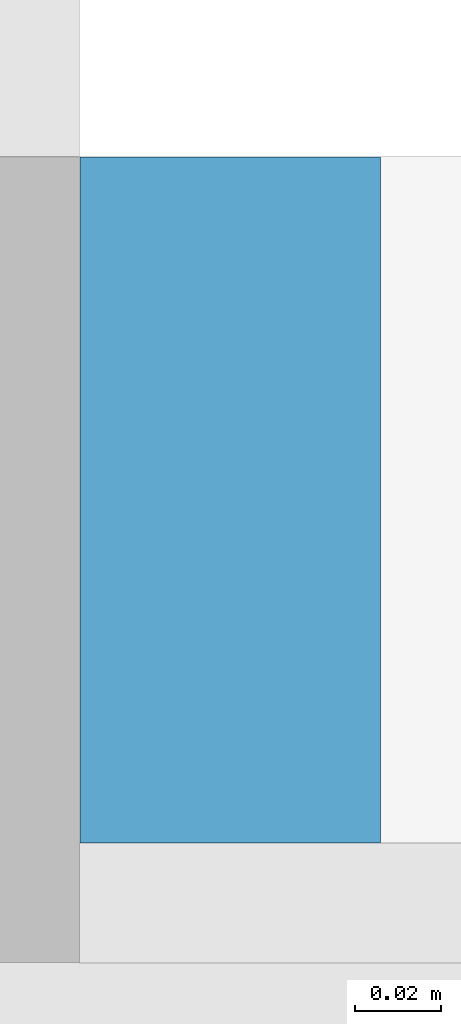
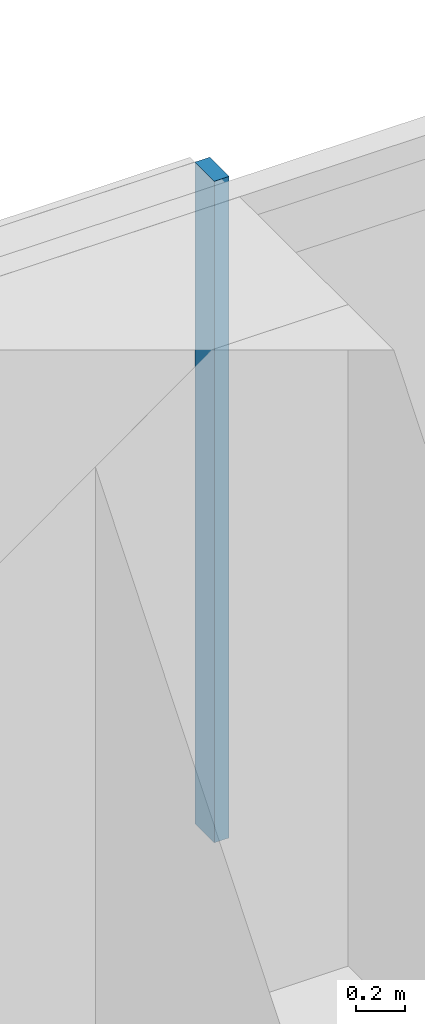
# One storey, part 12 of 30: 1 member, 1 element without a shape of its own.
"""IFC4 building model written with IfcOpenShell, lengths in metres."""

import ifcopenshell
import ifcopenshell.guid

model = None  # the IFC model being written
_history = None  # IfcOwnerHistory: only IFC2X3 demands one
_inside = {}  # id of a spatial element -> (the spatial element, [elements in it])
_under = {}  # id of a project, library or spatial element -> (it, [spatial elements below it])
_declared = {}  # id of a project -> (the project, [libraries it declares])
_typed = {}  # id of a type object -> (the type object, [elements of that type])
_made_of = {}  # id of a material, layer set ... -> (it, [elements and type objects made of it])


def new_model(schema):
    """Start an empty IFC model of exactly this schema.

    Asked for "IFC4X3", IfcOpenShell would pick the latest addendum, in which some entities
    have other attributes; the version numbers below select the first issue.
    IFC2X3 requires an IfcOwnerHistory on every rooted entity: one is made here for all.
    """
    global model, _history
    if schema == "IFC4X3":
        model = ifcopenshell.file(schema_version=(4, 3, 0, 0))
    else:
        model = ifcopenshell.file(schema=schema)
    _inside.clear()
    _under.clear()
    _declared.clear()
    _typed.clear()
    _made_of.clear()
    _history = None
    if model.schema == "IFC2X3":
        org = make("IfcOrganization", Name="unknown")
        user = make(
            "IfcPersonAndOrganization",
            ThePerson=make("IfcPerson", FamilyName="unknown"),
            TheOrganization=org,
        )
        app = make(
            "IfcApplication",
            ApplicationDeveloper=org,
            Version="unknown",
            ApplicationFullName="unknown",
            ApplicationIdentifier="unknown",
        )
        _history = make(
            "IfcOwnerHistory",
            OwningUser=user,
            OwningApplication=app,
            ChangeAction="ADDED",
            CreationDate=0,
        )
    return model


def make(cls, **values):
    """One entity of the class cls with the attributes given. An attribute that is None is left unset."""
    return model.create_entity(
        cls, **{name: value for name, value in values.items() if value is not None}
    )


def rooted(cls, **values):
    """An entity with a GlobalId (a new one), such as an element, a storey or a relation."""
    return make(cls, GlobalId=ifcopenshell.guid.new(), OwnerHistory=_history, **values)


def si_unit(unit_type, name, prefix=None):
    """IfcSIUnit, for example si_unit("LENGTHUNIT", "METRE", prefix="MILLI")."""
    return make("IfcSIUnit", UnitType=unit_type, Prefix=prefix, Name=name)


def assignment(units):
    """IfcUnitAssignment: the units of a project."""
    return None if units is None else make("IfcUnitAssignment", Units=units)


def point(xyz):
    """IfcCartesianPoint."""
    return None if xyz is None else make("IfcCartesianPoint", Coordinates=xyz)


def direction(xyz):
    """IfcDirection."""
    return None if xyz is None else make("IfcDirection", DirectionRatios=xyz)


def frame(location, z_axis=None, x_axis=None):
    """IfcAxis2Placement3D, a coordinate frame: its origin and axes. An axis left out is left unset."""
    return make(
        "IfcAxis2Placement3D",
        Location=point(location),
        Axis=direction(z_axis),
        RefDirection=direction(x_axis),
    )


def frame_2d(location, x_axis=None):
    """IfcAxis2Placement2D, a coordinate frame in the plane: its origin and x axis."""
    return make(
        "IfcAxis2Placement2D", Location=point(location), RefDirection=direction(x_axis)
    )


def origin():
    """The frame at (0, 0, 0) with its axes left unset."""
    return frame((0.0, 0.0, 0.0))


def origin_2d():
    """The frame at (0, 0) in the plane with its x axis left unset."""
    return frame_2d((0.0, 0.0))


def place(relative_to, where):
    """IfcLocalPlacement: puts the frame where relative to a parent placement (None: the world)."""
    return make(
        "IfcLocalPlacement", PlacementRelTo=relative_to, RelativePlacement=where
    )


def context(
    kind, dimensions, precision=None, world=None, true_north=None, identifier=None
):
    """IfcGeometricRepresentationContext, for example the 3D "Model" context."""
    return make(
        "IfcGeometricRepresentationContext",
        ContextIdentifier=identifier,
        ContextType=kind,
        CoordinateSpaceDimension=dimensions,
        Precision=precision,
        WorldCoordinateSystem=world,
        TrueNorth=true_north,
    )


def subcontext(parent, identifier, kind, view, scale=None):
    """IfcGeometricRepresentationSubContext, for example "Body" below "Model"."""
    return make(
        "IfcGeometricRepresentationSubContext",
        ContextIdentifier=identifier,
        ContextType=kind,
        ParentContext=parent,
        TargetScale=scale,
        TargetView=view,
    )


def project(units=None, contexts=None):
    """IfcProject with its units and contexts."""
    return rooted(
        "IfcProject",
        Name="project",
        RepresentationContexts=contexts,
        UnitsInContext=assignment(units),
    )


def spatial(cls, under=None, at=None, **own):
    """A site, building, storey or space (cls), placed at a placement, below another one or the project."""
    s = rooted(cls, ObjectPlacement=at, **own)
    if under is not None:
        _under.setdefault(under.id(), (under, []))[1].append(s)
    return s


def profile(cls, at=None, kind="AREA", **sizes):
    """A parametric profile (cls). Its sizes go by their IFC names, for example OverallWidth=200.0."""
    return make(cls, ProfileType=kind, Position=at, **sizes)


def rectangle(**sizes):
    """IfcRectangleProfileDef."""
    return profile("IfcRectangleProfileDef", **sizes)


def extrude(swept, where, along, depth):
    """IfcExtrudedAreaSolid: the profile swept, set in the frame where, extruded along a direction by depth."""
    return make(
        "IfcExtrudedAreaSolid",
        SweptArea=swept,
        Position=where,
        ExtrudedDirection=direction(along),
        Depth=depth,
    )


def shape(context_of_items, identifier, shape_type, items):
    """IfcShapeRepresentation: the items that make up one representation, for example the "Body"."""
    return make(
        "IfcShapeRepresentation",
        ContextOfItems=context_of_items,
        RepresentationIdentifier=identifier,
        RepresentationType=shape_type,
        Items=items,
    )


def material(Name=None, Category=None):
    """IfcMaterial."""
    return make("IfcMaterial", Name=Name, Category=Category)


def material_profile(
    of_material, cross_section, Name=None, Category=None, Priority=None
):
    """IfcMaterialProfile: a cross section and its material."""
    return make(
        "IfcMaterialProfile",
        Name=Name,
        Material=of_material,
        Profile=cross_section,
        Priority=Priority,
        Category=Category,
    )


def profile_set(profiles, Name=None, composite=None):
    """IfcMaterialProfileSet."""
    return make(
        "IfcMaterialProfileSet",
        Name=Name,
        MaterialProfiles=profiles,
        CompositeProfile=composite,
    )


def made_of(thing, what):
    """Note that an element or type object is made of a material, layer set ...; save() writes the relation."""
    if what is not None:
        _made_of.setdefault(what.id(), (what, []))[1].append(thing)
    return thing


def type_object(cls, material=None, **own):
    """A type object (cls), such as IfcWallType, which elements share."""
    return made_of(rooted(cls, **own), material)


def element(
    cls,
    number,
    at=None,
    inside=None,
    cuts=None,
    type_object=None,
    material=None,
    context=None,
    identifier="Body",
    shape_type=None,
    held_by="IfcProductDefinitionShape",
    body=None,
    shapes=None,
    **own,
):
    """One element of the class cls, such as IfcWall. Its Tag is "e" and its number.

    at: its placement. inside: the storey or other place that contains it. cuts: it is an
    opening in that element (IfcRelVoidsElement). A single representation is given by context,
    identifier, shape_type and body (its items); several are given by shapes. held_by: the class
    of the entity that holds the representations. save() writes the other relations.
    """
    e = rooted(cls, Tag="e%d" % number, ObjectPlacement=at, **own)
    if body is not None:
        shapes = [shape(context, identifier, shape_type, body)]
    if shapes is not None:
        e.Representation = make(held_by, Representations=shapes)
    if inside is not None:
        _inside.setdefault(inside.id(), (inside, []))[1].append(e)
    if cuts is not None:
        rooted(
            "IfcRelVoidsElement", RelatingBuildingElement=cuts, RelatedOpeningElement=e
        )
    if type_object is not None:
        _typed.setdefault(type_object.id(), (type_object, []))[1].append(e)
    return made_of(e, material)


def aggregate(whole, parts):
    """IfcRelAggregates: a whole, such as a stair, and the parts it consists of."""
    return rooted("IfcRelAggregates", RelatingObject=whole, RelatedObjects=parts)


def save(model, path):
    """Write the relations noted so far, then the file.

    IfcRelAggregates (storeys below a building ...), IfcRelContainedInSpatialStructure (elements
    in a storey), IfcRelDefinesByType, IfcRelAssociatesMaterial and IfcRelDeclares: one each for
    every whole, place, type object, material and project.
    """
    for whole, parts in _under.values():
        aggregate(whole, parts)
    for where, things in _inside.values():
        rooted(
            "IfcRelContainedInSpatialStructure",
            RelatedElements=things,
            RelatingStructure=where,
        )
    for kind, things in _typed.values():
        rooted("IfcRelDefinesByType", RelatedObjects=things, RelatingType=kind)
    for what, things in _made_of.values():
        rooted("IfcRelAssociatesMaterial", RelatedObjects=things, RelatingMaterial=what)
    for by, libraries in _declared.values():
        rooted("IfcRelDeclares", RelatingContext=by, RelatedDefinitions=libraries)
    model.write(path)


model = new_model("IFC4")

# Units and contexts
model_context = context("Model", 3, precision=1e-05, world=origin(), true_north=direction((0.0, 1.0)))
body_context = subcontext(model_context, "Body", "Model", "MODEL_VIEW")
ifc_project = project(units=[si_unit("LENGTHUNIT", "METRE"), si_unit("AREAUNIT", "SQUARE_METRE"), si_unit("VOLUMEUNIT", "CUBIC_METRE"), si_unit("PLANEANGLEUNIT", "RADIAN"), si_unit("MASSUNIT", "GRAM", prefix="KILO")], contexts=[model_context])

# Site, building, storey
site_placement = place(None, origin())
site = spatial("IfcSite", under=ifc_project, at=site_placement, CompositionType="ELEMENT")
building_placement = place(site_placement, origin())
building = spatial("IfcBuilding", under=site, at=building_placement, Name="Saffron Gate Tower", CompositionType="ELEMENT")
storey_placement = place(building_placement, frame((0.0, 0.0, 69.60009765625)))
storey = spatial("IfcBuildingStorey", under=building, at=storey_placement, Name="L16", CompositionType="ELEMENT", Elevation=69.60009765625)

# Curtain wall, member
ifc_material = material(Name="Aluminium, bronze anodised", Category="aluminium")
curtain_wall_type = type_object("IfcCurtainWallType", Name="CWS3 curtain wall rear facade", PredefinedType="NOTDEFINED", material=ifc_material)
curtain_wall_placement = place(storey_placement, origin())
curtain_wall = element("IfcCurtainWall", 1, at=curtain_wall_placement, inside=storey, type_object=curtain_wall_type, Name="CWS3 run 7", PredefinedType="NOTDEFINED")
ifc_material_profile = material_profile(ifc_material, rectangle(XDim=0.159912109375, YDim=0.070068359375, at=origin_2d()))
ifc_profile_set = profile_set([ifc_material_profile], Name="Aluminium, bronze anodised")
member_type = type_object("IfcMemberType", Name="CWS3 mullion 70x160", PredefinedType="MULLION", material=ifc_profile_set)
member_placement = place(storey_placement, frame((108.60009765625, 75.52001953125, 0.0), z_axis=(0.0, 0.0, 1.0), x_axis=(0.0, -1.0, 0.0)))
member = element("IfcMember", 2, at=member_placement, type_object=member_type, Name="CWS3 mullion 3", PredefinedType="MULLION", context=body_context, shape_type="SweptSolid", body=[
    extrude(rectangle(XDim=0.159912109375, YDim=0.070068359375, at=origin_2d()), origin(), (0.0, 0.0, 1.0), 3.31982421875),
])
aggregate(curtain_wall, [member])

save(model, "model.ifc")
